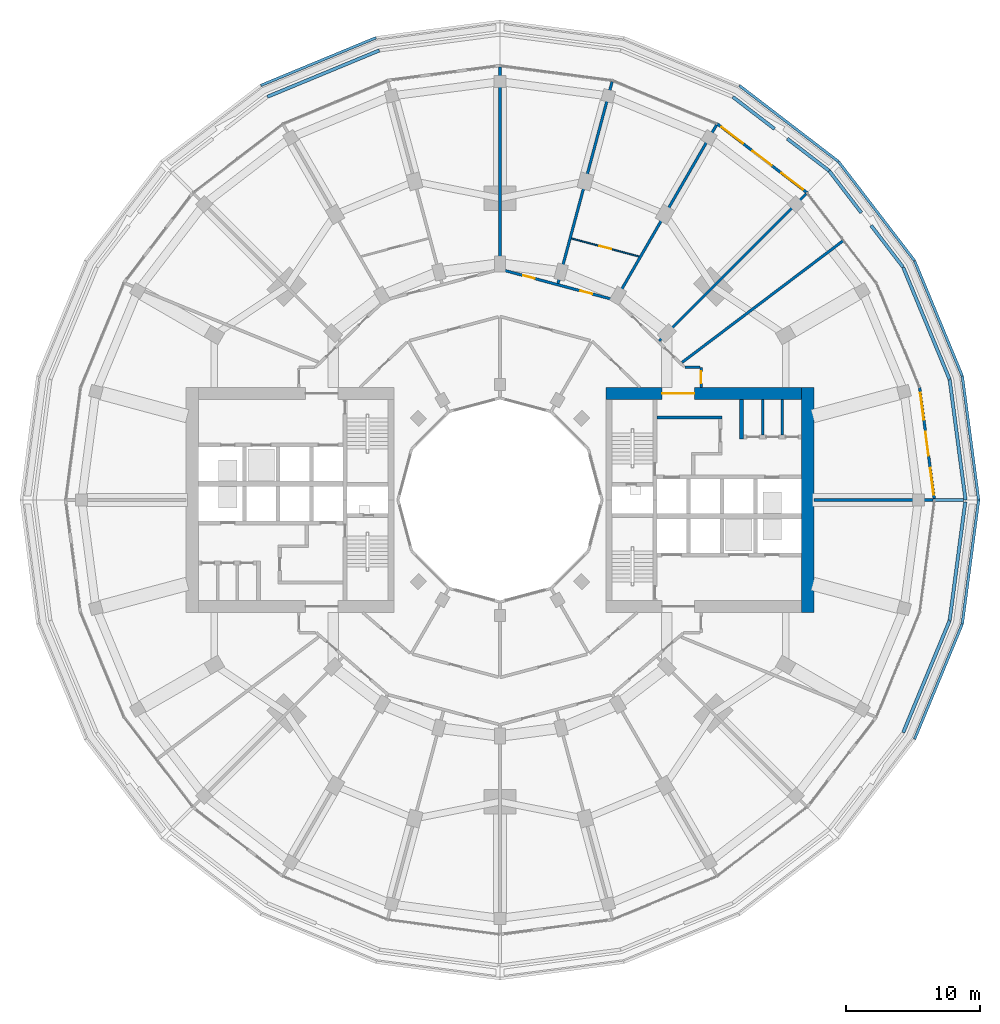
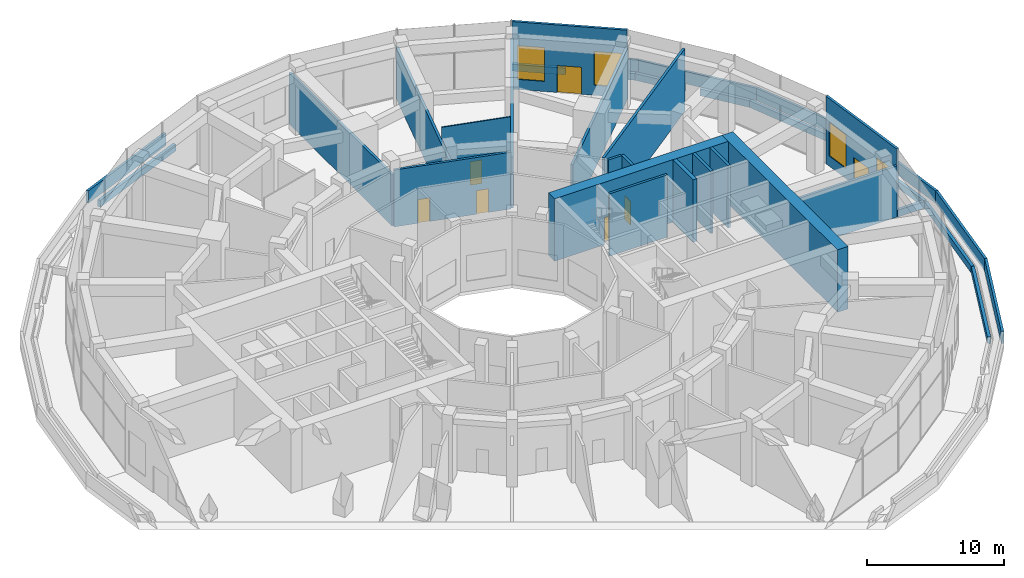
# One storey, part 20 of 23: 35 walls, 7 doors, 4 windows, 11 openings.
"""IFC4 building model written with IfcOpenShell, lengths in metres."""

from ifc_helpers import new_model, si_unit, direction, frame, frame_2d, origin, place, context, subcontext, project, spatial, rectangle, extrude, material, layer, layer_set, type_object, element, fill, save


model = new_model("IFC4")

# Units and contexts
model_context = context("Model", 3, precision=1e-05, world=origin(), true_north=direction((0.0, 1.0)))
body_context = subcontext(model_context, "Body", "Model", "MODEL_VIEW")
ifc_project = project(units=[si_unit("LENGTHUNIT", "METRE"), si_unit("AREAUNIT", "SQUARE_METRE"), si_unit("VOLUMEUNIT", "CUBIC_METRE"), si_unit("PLANEANGLEUNIT", "RADIAN"), si_unit("MASSUNIT", "GRAM", prefix="KILO")], contexts=[model_context])

# Site, building, storey
site_placement = place(None, origin())
site = spatial("IfcSite", under=ifc_project, at=site_placement, CompositionType="ELEMENT")
building_placement = place(site_placement, origin())
building = spatial("IfcBuilding", under=site, at=building_placement, Name="Torre Brocal", CompositionType="ELEMENT")
storey_placement = place(building_placement, frame((0.0, 0.0, 17.800048828125)))
storey = spatial("IfcBuildingStorey", under=building, at=storey_placement, Name="L03", CompositionType="ELEMENT", Elevation=17.800048828125)

# Walls
ifc_material_1 = material(Name="Masonry block", Category="masonry")
ifc_layer_1 = layer(ifc_material_1, 0.199951171875)
ifc_layer_set_1 = layer_set([ifc_layer_1], Name="Masonry block")
wall_type_1 = type_object("IfcWallType", Name="CORE PARTITION 200 UNDER 450 SLAB", PredefinedType="PARTITIONING", material=ifc_layer_set_1)
for number, where, z_axis, x_axis, name in (
    (1, (99.60009765625, 79.85009765625, 0.0), (0.0, 0.0, 1.0), (0.0, 1.0, 0.0), "Wall CP200-S450"),
    (2, (101.050048828125, 79.85009765625, 0.0), (0.0, 0.0, 1.0), (0.0, 1.0, 0.0), "Wall CP200-S450"),
):
    element("IfcWall", number, at=place(storey_placement, frame(where, z_axis=z_axis, x_axis=x_axis)), inside=storey, type_object=wall_type_1, Name=name, PredefinedType="PARTITIONING", context=body_context, shape_type="SweptSolid", body=[
        extrude(rectangle(XDim=2.64990234375, YDim=0.199951171875, at=frame_2d((1.324951171875, 0.0))), origin(), (0.0, 0.0, 1.0), 5.550048828125),
    ])
ifc_material_2 = material(Name="Concrete C80", Category="concrete")
ifc_layer_2 = layer(ifc_material_2, 0.199951171875)
ifc_layer_set_2 = layer_set([ifc_layer_2], Name="Concrete C80")
wall_type_2 = type_object("IfcWallType", Name="CORE WALL 200 C80 UNDER 450 SLAB", PredefinedType="SHEAR", material=ifc_layer_set_2)
wall_1_placement = place(storey_placement, frame((91.699951171875, 81.14990234375, 0.0), z_axis=(0.0, 0.0, 1.0), x_axis=(1.0, 0.0, 0.0)))
element("IfcWall", 3, at=wall_1_placement, inside=storey, type_object=wall_type_2, Name="Wall CW200-80-S450", PredefinedType="SHEAR", context=body_context, shape_type="SweptSolid", body=[
    extrude(rectangle(XDim=4.85009765625, YDim=0.199951171875, at=frame_2d((2.425048828125, 0.0))), origin(), (0.0, 0.0, 1.0), 5.550048828125),
])
ifc_material_3 = material(Name="Concrete C80", Category="concrete")
ifc_layer_3 = layer(ifc_material_3, 0.300048828125)
ifc_layer_set_3 = layer_set([ifc_layer_3], Name="Concrete C80")
wall_type_3 = type_object("IfcWallType", Name="CORE WALL 300 C80 UNDER 450 SLAB", PredefinedType="SHEAR", material=ifc_layer_set_3)
wall_2_placement = place(storey_placement, frame((98.0, 79.550048828125, 0.0), z_axis=(0.0, 0.0, 1.0), x_axis=(0.0, 1.0, 0.0)))
element("IfcWall", 4, at=wall_2_placement, inside=storey, type_object=wall_type_3, Name="Wall CW300-80-S450", PredefinedType="SHEAR", context=body_context, shape_type="SweptSolid", body=[
    extrude(rectangle(XDim=2.949951171875, YDim=0.300048828125, at=frame_2d((1.47509765625, 0.0))), origin(), (0.0, 0.0, 1.0), 5.550048828125),
])

# Wall, opening, door
ifc_material_4 = material(Name="Concrete C80", Category="concrete")
ifc_layer_4 = layer(ifc_material_4, 0.89990234375)
ifc_layer_set_4 = layer_set([ifc_layer_4], Name="Concrete C80")
wall_type_4 = type_object("IfcWallType", Name="CORE WALL 900 C80 UNDER 450 SLAB", PredefinedType="SHEAR", material=ifc_layer_set_4)
wall_3_placement = place(storey_placement, frame((87.89990234375, 82.949951171875, 0.0), z_axis=(0.0, 0.0, 1.0), x_axis=(1.0, 0.0, 0.0)))
wall_3 = element("IfcWall", 5, at=wall_3_placement, inside=storey, type_object=wall_type_4, Name="Wall CW900-80-S450", PredefinedType="SHEAR", context=body_context, shape_type="SweptSolid", body=[
    extrude(rectangle(XDim=14.60009765625, YDim=0.89990234375, at=frame_2d((7.300048828125, 0.0))), origin(), (0.0, 0.0, 1.0), 5.550048828125),
])
opening_1_placement = place(wall_3_placement, frame((4.199951171875, 0.0, 0.0)))
opening_1 = element("IfcOpeningElement", 6, at=opening_1_placement, cuts=wall_3, Name="Opening E-D27", PredefinedType="OPENING", context=body_context, shape_type="SweptSolid", body=[
    extrude(rectangle(XDim=2.39990234375, YDim=2.39990234375, at=frame_2d((1.199951171875, 1.199951171875))), frame((0.0, 0.4599609375, 0.0), z_axis=(0.0, -1.0, 0.0), x_axis=(1.0, 0.0, 0.0)), (0.0, 0.0, 1.0), 0.919921875),
])
ifc_material_5 = material(Name="Steel A653", Category="steel")
door_type_1 = type_object("IfcDoorType", Name="DOUBLE FIRE DOOR FD90 2400X2400", OperationType="DOUBLE_DOOR_SINGLE_SWING", PredefinedType="DOOR", material=ifc_material_5)
door_1_placement = place(opening_1_placement, frame((2.39990234375, 0.0, 0.0), z_axis=(0.0, 0.0, 1.0), x_axis=(-1.0, 0.0, 0.0)))
door_1 = element("IfcDoor", 7, at=door_1_placement, inside=storey, type_object=door_type_1, Name="Door E-D27", OperationType="DOUBLE_DOOR_SINGLE_SWING", OverallHeight=2.39990234375, OverallWidth=2.39990234375, PredefinedType="DOOR", context=body_context, shape_type="SweptSolid", body=[
    extrude(rectangle(XDim=2.39990234375, YDim=2.39990234375, at=frame_2d((1.199951171875, 1.199951171875))), frame((0.0, 0.02490234375, 0.0), z_axis=(0.0, -1.0, 0.0), x_axis=(1.0, 0.0, 0.0)), (0.0, 0.0, 1.0), 0.050048828125),
])
fill(opening_1, door_1)

# Wall
wall_4_placement = place(storey_placement, frame((102.949951171875, 66.60009765625, 0.0), z_axis=(0.0, 0.0, 1.0), x_axis=(0.0, 1.0, 0.0)))
element("IfcWall", 8, at=wall_4_placement, inside=storey, type_object=wall_type_4, Name="Wall CW900-80-S450", PredefinedType="SHEAR", context=body_context, shape_type="SweptSolid", body=[
    extrude(rectangle(XDim=16.7998046875, YDim=0.89990234375, at=frame_2d((8.39990234375, 0.0))), origin(), (0.0, 0.0, 1.0), 5.550048828125),
])

# Wall, openings, windows, door
ifc_material_6 = material(Name="Concrete C40", Category="concrete")
ifc_layer_5 = layer(ifc_material_6, 0.199951171875)
ifc_layer_set_5 = layer_set([ifc_layer_5], Name="Concrete C40")
wall_type_5 = type_object("IfcWallType", Name="EXTERNAL WALL 200", PredefinedType="NOTDEFINED", material=ifc_layer_set_5)
wall_5_placement = place(storey_placement, frame((112.399169921875, 75.0, 0.0), z_axis=(0.0, 0.0, 1.0), x_axis=(-0.130529928059, 0.991444369534, 0.0)))
wall_5 = element("IfcWall", 9, at=wall_5_placement, inside=storey, type_object=wall_type_5, Name="EXTERNAL WALL", PredefinedType="NOTDEFINED", context=body_context, shape_type="SweptSolid", body=[
    extrude(rectangle(XDim=8.457763671875, YDim=0.199951171875, at=frame_2d((4.22900390625, 0.0))), origin(), (0.0, 0.0, 1.0), 6.0),
])
opening_2_placement = place(wall_5_placement, frame((0.40966796875, 0.0, 0.89990234375)))
opening_2 = element("IfcOpeningElement", 10, at=opening_2_placement, cuts=wall_5, Name="Opening W7", PredefinedType="OPENING", context=body_context, shape_type="SweptSolid", body=[
    extrude(rectangle(XDim=2.0, YDim=3.0, at=frame_2d((1.0, 1.5))), frame((0.0, 0.10986328125, 0.0), z_axis=(0.0, -1.0, 0.0), x_axis=(1.0, 0.0, 0.0)), (0.0, 0.0, 1.0), 0.219970703125),
])
opening_3_placement = place(wall_5_placement, frame((3.328857421875, 0.0, 0.0)))
opening_3 = element("IfcOpeningElement", 11, at=opening_3_placement, cuts=wall_5, Name="Opening L03-E01", PredefinedType="OPENING", context=body_context, shape_type="SweptSolid", body=[
    extrude(rectangle(XDim=1.800048828125, YDim=2.39990234375, at=frame_2d((0.89990234375, 1.199951171875))), frame((0.0, 0.10986328125, 0.0), z_axis=(0.0, -1.0, 0.0), x_axis=(1.0, 0.0, 0.0)), (0.0, 0.0, 1.0), 0.219970703125),
])
opening_4_placement = place(wall_5_placement, frame((6.04833984375, 0.0, 0.89990234375)))
opening_4 = element("IfcOpeningElement", 12, at=opening_4_placement, cuts=wall_5, Name="Opening W7", PredefinedType="OPENING", context=body_context, shape_type="SweptSolid", body=[
    extrude(rectangle(XDim=2.0, YDim=3.0, at=frame_2d((1.0, 1.5))), frame((0.0, 0.10986328125, 0.0), z_axis=(0.0, -1.0, 0.0), x_axis=(1.0, 0.0, 0.0)), (0.0, 0.0, 1.0), 0.219970703125),
])
ifc_material_7 = material(Name="Aluminium and glass", Category="aluminium")
window_type = type_object("IfcWindowType", Name="PODIUM WINDOW 2000X3000", PartitioningType="SINGLE_PANEL", PredefinedType="WINDOW", material=ifc_material_7)
window_1_placement = place(opening_2_placement, origin())
window_1 = element("IfcWindow", 13, at=window_1_placement, inside=storey, type_object=window_type, Name="PODIUM WINDOW 2000X3000", OverallHeight=3.0, OverallWidth=2.0, PartitioningType="SINGLE_PANEL", PredefinedType="WINDOW", context=body_context, shape_type="SweptSolid", body=[
    extrude(rectangle(XDim=2.0, YDim=3.0, at=frame_2d((1.0, 1.5))), frame((0.0, 0.030029296875, 0.0), z_axis=(0.0, -1.0, 0.0), x_axis=(1.0, 0.0, 0.0)), (0.0, 0.0, 1.0), 0.06005859375),
])
fill(opening_2, window_1)
window_2_placement = place(opening_4_placement, origin())
window_2 = element("IfcWindow", 14, at=window_2_placement, inside=storey, type_object=window_type, Name="PODIUM WINDOW 2000X3000", OverallHeight=3.0, OverallWidth=2.0, PartitioningType="SINGLE_PANEL", PredefinedType="WINDOW", context=body_context, shape_type="SweptSolid", body=[
    extrude(rectangle(XDim=2.0, YDim=3.0, at=frame_2d((1.0, 1.5))), frame((0.0, 0.030029296875, 0.0), z_axis=(0.0, -1.0, 0.0), x_axis=(1.0, 0.0, 0.0)), (0.0, 0.0, 1.0), 0.06005859375),
])
fill(opening_4, window_2)
ifc_material_8 = material(Name="Aluminium and glass", Category="aluminium")
door_type_2 = type_object("IfcDoorType", Name="TERRACE DOUBLE DOOR 1800X2400", OperationType="DOUBLE_DOOR_SINGLE_SWING", PredefinedType="DOOR", material=ifc_material_8)
door_2_placement = place(opening_3_placement, frame((1.800048828125, 0.0, 0.0), z_axis=(0.0, 0.0, 1.0), x_axis=(-1.0, 0.0, 0.0)))
door_2 = element("IfcDoor", 15, at=door_2_placement, inside=storey, type_object=door_type_2, Name="DOOR L03-E01", OperationType="DOUBLE_DOOR_SINGLE_SWING", OverallHeight=2.39990234375, OverallWidth=1.800048828125, PredefinedType="DOOR", context=body_context, shape_type="SweptSolid", body=[
    extrude(rectangle(XDim=1.800048828125, YDim=2.39990234375, at=frame_2d((0.89990234375, 1.199951171875))), frame((0.0, 0.02490234375, 0.0), z_axis=(0.0, -1.0, 0.0), x_axis=(1.0, 0.0, 0.0)), (0.0, 0.0, 1.0), 0.050048828125),
])
fill(opening_3, door_2)

wall_6_placement = place(storey_placement, frame((102.90966796875, 97.90966796875, 0.0), z_axis=(0.0, 0.0, 1.0), x_axis=(-0.793353093047, 0.608761751223, 0.0)))
wall_6 = element("IfcWall", 16, at=wall_6_placement, inside=storey, type_object=wall_type_5, Name="EXTERNAL WALL", PredefinedType="NOTDEFINED", context=body_context, shape_type="SweptSolid", body=[
    extrude(rectangle(XDim=8.4580078125, YDim=0.199951171875, at=frame_2d((4.22900390625, 0.0))), origin(), (0.0, 0.0, 1.0), 6.0),
])
opening_5_placement = place(wall_6_placement, frame((0.40966796875, 0.0, 0.89990234375)))
opening_5 = element("IfcOpeningElement", 17, at=opening_5_placement, cuts=wall_6, Name="Opening W7", PredefinedType="OPENING", context=body_context, shape_type="SweptSolid", body=[
    extrude(rectangle(XDim=2.0, YDim=3.0, at=frame_2d((1.0, 1.5))), frame((0.0, 0.10986328125, 0.0), z_axis=(0.0, -1.0, 0.0), x_axis=(1.0, 0.0, 0.0)), (0.0, 0.0, 1.0), 0.219970703125),
])
opening_6_placement = place(wall_6_placement, frame((3.328857421875, 0.0, 0.0)))
opening_6 = element("IfcOpeningElement", 18, at=opening_6_placement, cuts=wall_6, Name="Opening L03-E02", PredefinedType="OPENING", context=body_context, shape_type="SweptSolid", body=[
    extrude(rectangle(XDim=1.800048828125, YDim=2.39990234375, at=frame_2d((0.89990234375, 1.199951171875))), frame((0.0, 0.10986328125, 0.0), z_axis=(0.0, -1.0, 0.0), x_axis=(1.0, 0.0, 0.0)), (0.0, 0.0, 1.0), 0.219970703125),
])
opening_7_placement = place(wall_6_placement, frame((6.04833984375, 0.0, 0.89990234375)))
opening_7 = element("IfcOpeningElement", 19, at=opening_7_placement, cuts=wall_6, Name="Opening W7", PredefinedType="OPENING", context=body_context, shape_type="SweptSolid", body=[
    extrude(rectangle(XDim=2.0, YDim=3.0, at=frame_2d((1.0, 1.5))), frame((0.0, 0.10986328125, 0.0), z_axis=(0.0, -1.0, 0.0), x_axis=(1.0, 0.0, 0.0)), (0.0, 0.0, 1.0), 0.219970703125),
])
window_3_placement = place(opening_5_placement, origin())
window_3 = element("IfcWindow", 20, at=window_3_placement, inside=storey, type_object=window_type, Name="PODIUM WINDOW 2000X3000", OverallHeight=3.0, OverallWidth=2.0, PartitioningType="SINGLE_PANEL", PredefinedType="WINDOW", context=body_context, shape_type="SweptSolid", body=[
    extrude(rectangle(XDim=2.0, YDim=3.0, at=frame_2d((1.0, 1.5))), frame((0.0, 0.030029296875, 0.0), z_axis=(0.0, -1.0, 0.0), x_axis=(1.0, 0.0, 0.0)), (0.0, 0.0, 1.0), 0.06005859375),
])
fill(opening_5, window_3)
window_4_placement = place(opening_7_placement, origin())
window_4 = element("IfcWindow", 21, at=window_4_placement, inside=storey, type_object=window_type, Name="PODIUM WINDOW 2000X3000", OverallHeight=3.0, OverallWidth=2.0, PartitioningType="SINGLE_PANEL", PredefinedType="WINDOW", context=body_context, shape_type="SweptSolid", body=[
    extrude(rectangle(XDim=2.0, YDim=3.0, at=frame_2d((1.0, 1.5))), frame((0.0, 0.030029296875, 0.0), z_axis=(0.0, -1.0, 0.0), x_axis=(1.0, 0.0, 0.0)), (0.0, 0.0, 1.0), 0.06005859375),
])
fill(opening_7, window_4)
door_3_placement = place(opening_6_placement, frame((1.800048828125, 0.0, 0.0), z_axis=(0.0, 0.0, 1.0), x_axis=(-1.0, 0.0, 0.0)))
door_3 = element("IfcDoor", 22, at=door_3_placement, inside=storey, type_object=door_type_2, Name="DOOR L03-E02", OperationType="DOUBLE_DOOR_SINGLE_SWING", OverallHeight=2.39990234375, OverallWidth=1.800048828125, PredefinedType="DOOR", context=body_context, shape_type="SweptSolid", body=[
    extrude(rectangle(XDim=1.800048828125, YDim=2.39990234375, at=frame_2d((0.89990234375, 1.199951171875))), frame((0.0, 0.02490234375, 0.0), z_axis=(0.0, -1.0, 0.0), x_axis=(1.0, 0.0, 0.0)), (0.0, 0.0, 1.0), 0.050048828125),
])
fill(opening_6, door_3)

# Walls
ifc_material_9 = material(Name="Concrete C40", Category="concrete")
ifc_layer_6 = layer(ifc_material_9, 0.199951171875)
ifc_layer_set_6 = layer_set([ifc_layer_6], Name="Concrete C40")
wall_type_6 = type_object("IfcWallType", Name="PARAPET WALL 200 THICK 1100 HIGH 2", PredefinedType="PARAPET", material=ifc_layer_set_6)
wall_7_placement = place(storey_placement, frame((115.697509765625, 75.0, 0.0), z_axis=(0.0, 0.0, 1.0), x_axis=(-0.13054816706, -0.991441968084, 0.0)))
element("IfcWall", 23, at=wall_7_placement, inside=storey, type_object=wall_type_6, Name="PARAPET WALL 1", PredefinedType="PARAPET", context=body_context, shape_type="SweptSolid", body=[
    extrude(rectangle(XDim=9.3056640625, YDim=0.199951171875, at=frame_2d((4.65283203125, 0.0))), origin(), (0.0, 0.0, 1.0), 1.099853515625),
])
for number, where, z_axis, x_axis, name in (
    (24, (114.47607421875, 65.748779296875, 0.0), (0.0, 0.0, 1.0), (-0.382687470657, -0.923877859786, 0.0), "PARAPET WALL 2"),
    (25, (62.16357421875, 105.919921875, 0.0), (0.0, 0.0, 1.0), (0.923877859786, 0.382687470657, 0.0), "PARAPET WALL 17"),
    (26, (97.859130859375, 105.90673828125, 0.0), (0.0, 0.0, 1.0), (0.793365687122, -0.608745337968, 0.0), "PARAPET WALL 21"),
    (27, (105.25, 100.2314453125, 0.0), (0.0, 0.0, 1.0), (0.608745337968, -0.793365687122, 0.0), "PARAPET WALL 22"),
    (28, (110.919921875, 92.83642578125, 0.0), (0.0, 0.0, 1.0), (0.382687470657, -0.923877859786, 0.0), "PARAPET WALL 23"),
):
    element("IfcWall", number, at=place(storey_placement, frame(where, z_axis=z_axis, x_axis=x_axis)), inside=storey, type_object=wall_type_6, Name=name, PredefinedType="PARAPET", context=body_context, shape_type="SweptSolid", body=[
        extrude(rectangle(XDim=9.29248046875, YDim=0.199951171875, at=frame_2d((4.646240234375, 0.0))), origin(), (0.0, 0.0, 1.0), 1.099853515625),
    ])
wall_8_placement = place(storey_placement, frame((114.482666015625, 84.22607421875, 0.0), z_axis=(0.0, 0.0, 1.0), x_axis=(0.13054816706, -0.991441968084, 0.0)))
element("IfcWall", 29, at=wall_8_placement, inside=storey, type_object=wall_type_6, Name="PARAPET WALL 24", PredefinedType="PARAPET", context=body_context, shape_type="SweptSolid", body=[
    extrude(rectangle(XDim=9.3056640625, YDim=0.199951171875, at=frame_2d((4.65283203125, 0.0))), origin(), (0.0, 0.0, 1.0), 1.099853515625),
])

# Wall, opening, door
ifc_material_10 = material(Name="Gypsum board", Category="Gypsum")
ifc_layer_7 = layer(ifc_material_10, 0.10009765625)
ifc_layer_set_7 = layer_set([ifc_layer_7], Name="Gypsum board")
wall_type_7 = type_object("IfcWallType", Name="PARTITION 100", PredefinedType="PARTITIONING", material=ifc_layer_set_7)
wall_9_placement = place(storey_placement, frame((85.340087890625, 94.505615234375, 0.0), z_axis=(0.0, 0.0, 1.0), x_axis=(0.965895847634, -0.258930901058, 0.0)))
wall_9 = element("IfcWall", 30, at=wall_9_placement, inside=storey, type_object=wall_type_7, Name="ROOM PARTITION", PredefinedType="PARTITIONING", context=body_context, shape_type="SweptSolid", body=[
    extrude(rectangle(XDim=5.198974609375, YDim=0.10009765625, at=frame_2d((2.599609375, 0.0))), origin(), (0.0, 0.0, 1.0), 5.550048828125),
])
opening_8_placement = place(wall_9_placement, frame((2.1494140625, 0.0, 0.0)))
opening_8 = element("IfcOpeningElement", 31, at=opening_8_placement, cuts=wall_9, Name="Opening PD3-D05", PredefinedType="OPENING", context=body_context, shape_type="SweptSolid", body=[
    extrude(rectangle(XDim=0.89990234375, YDim=2.10009765625, at=frame_2d((0.449951171875, 1.050048828125))), frame((0.0, 0.06005859375, 0.0), z_axis=(0.0, -1.0, 0.0), x_axis=(1.0, 0.0, 0.0)), (0.0, 0.0, 1.0), 0.1201171875),
])
ifc_material_11 = material(Name="Timber", Category="wood")
door_type_3 = type_object("IfcDoorType", Name="ROOM DOOR 900X2100", OperationType="SINGLE_SWING_LEFT", PredefinedType="DOOR", material=ifc_material_11)
door_4_placement = place(opening_8_placement, origin())
door_4 = element("IfcDoor", 32, at=door_4_placement, inside=storey, type_object=door_type_3, Name="PD3-D05", OperationType="SINGLE_SWING_LEFT", OverallHeight=2.10009765625, OverallWidth=0.89990234375, PredefinedType="DOOR", context=body_context, shape_type="SweptSolid", body=[
    extrude(rectangle(XDim=0.89990234375, YDim=2.10009765625, at=frame_2d((0.449951171875, 1.050048828125))), frame((0.0, 0.02490234375, 0.0), z_axis=(0.0, -1.0, 0.0), x_axis=(1.0, 0.0, 0.0)), (0.0, 0.0, 1.0), 0.050048828125),
])
fill(opening_8, door_4)

# Walls
ifc_material_12 = material(Name="Gypsum board", Category="Gypsum")
ifc_layer_8 = layer(ifc_material_12, 0.199951171875)
ifc_layer_set_8 = layer_set([ifc_layer_8], Name="Gypsum board")
wall_type_8 = type_object("IfcWallType", Name="PARTITION 200 EI60", PredefinedType="PARTITIONING", material=ifc_layer_set_8)
wall_10_placement = place(storey_placement, frame((93.577880859375, 85.259033203125, 0.0), z_axis=(0.0, 0.0, 1.0), x_axis=(0.797859702554, 0.602843176159, 0.0)))
element("IfcWall", 33, at=wall_10_placement, inside=storey, type_object=wall_type_8, Name="PARTY PARTITION", PredefinedType="PARTITIONING", context=body_context, shape_type="SweptSolid", body=[
    extrude(rectangle(XDim=15.0654296875, YDim=0.199951171875, at=frame_2d((7.53271484375, 0.0))), origin(), (0.0, 0.0, 1.0), 5.550048828125),
])
wall_11_placement = place(storey_placement, frame((93.780029296875, 84.89990234375, 0.0), z_axis=(0.0, 0.0, 1.0), x_axis=(1.0, 0.0, 0.0)))
element("IfcWall", 34, at=wall_11_placement, inside=storey, type_object=wall_type_8, Name="CORRIDOR WALL", PredefinedType="PARTITIONING", context=body_context, shape_type="SweptSolid", body=[
    extrude(rectangle(XDim=1.119873046875, YDim=0.199951171875, at=frame_2d((0.56005859375, 0.0))), origin(), (0.0, 0.0, 1.0), 5.550048828125),
])

# Wall, opening, door
wall_12_placement = place(storey_placement, frame((95.0, 83.40087890625, 0.0), z_axis=(0.0, 0.0, 1.0), x_axis=(0.0, 1.0, 0.0)))
wall_12 = element("IfcWall", 35, at=wall_12_placement, inside=storey, type_object=wall_type_8, Name="CORRIDOR WALL", PredefinedType="PARTITIONING", context=body_context, shape_type="SweptSolid", body=[
    extrude(rectangle(XDim=1.4990234375, YDim=0.199951171875, at=frame_2d((0.74951171875, 0.0))), origin(), (0.0, 0.0, 1.0), 5.550048828125),
])
opening_9_placement = place(wall_12_placement, frame((0.299072265625, 0.0, 0.0)))
opening_9 = element("IfcOpeningElement", 36, at=opening_9_placement, cuts=wall_12, Name="Opening PD3-D01", PredefinedType="OPENING", context=body_context, shape_type="SweptSolid", body=[
    extrude(rectangle(XDim=0.89990234375, YDim=2.10009765625, at=frame_2d((0.449951171875, 1.050048828125))), frame((0.0, 0.10986328125, 0.0), z_axis=(0.0, -1.0, 0.0), x_axis=(1.0, 0.0, 0.0)), (0.0, 0.0, 1.0), 0.219970703125),
])
door_5_placement = place(opening_9_placement, frame((0.89990234375, 0.0, 0.0), z_axis=(0.0, 0.0, 1.0), x_axis=(-1.0, 0.0, 0.0)))
door_5 = element("IfcDoor", 37, at=door_5_placement, inside=storey, type_object=door_type_3, Name="PD3-D01", OperationType="SINGLE_SWING_RIGHT", OverallHeight=2.10009765625, OverallWidth=0.89990234375, PredefinedType="DOOR", context=body_context, shape_type="SweptSolid", body=[
    extrude(rectangle(XDim=0.89990234375, YDim=2.10009765625, at=frame_2d((0.449951171875, 1.050048828125))), frame((0.0, 0.02490234375, 0.0), z_axis=(0.0, -1.0, 0.0), x_axis=(1.0, 0.0, 0.0)), (0.0, 0.0, 1.0), 0.050048828125),
])
fill(opening_9, door_5)

# Walls
ifc_material_13 = material(Name="Gypsum board", Category="Gypsum")
ifc_layer_9 = layer(ifc_material_13, 0.199951171875)
ifc_layer_set_9 = layer_set([ifc_layer_9], Name="Gypsum board")
wall_type_9 = type_object("IfcWallType", Name="PARTITION 200 EI60 UNDER BEAM 1450", PredefinedType="PARTITIONING", material=ifc_layer_set_9)
wall_13_placement = place(storey_placement, frame((80.0, 92.300048828125, 0.0), z_axis=(0.0, 0.0, 1.0), x_axis=(0.0, 1.0, 0.0)))
element("IfcWall", 38, at=wall_13_placement, inside=storey, type_object=wall_type_9, Name="PARTY PARTITION", PredefinedType="PARTITIONING", context=body_context, shape_type="SweptSolid", body=[
    extrude(rectangle(XDim=14.998046875, YDim=0.199951171875, at=frame_2d((7.4990234375, 0.0))), origin(), (0.0, 0.0, 1.0), 4.550048828125),
])
wall_14_placement = place(storey_placement, frame((84.3291015625, 91.1533203125, 0.0), z_axis=(0.0, 0.0, 1.0), x_axis=(0.258918127652, 0.965899271753, 0.0)))
element("IfcWall", 39, at=wall_14_placement, inside=storey, type_object=wall_type_9, Name="PARTY PARTITION", PredefinedType="PARTITIONING", context=body_context, shape_type="SweptSolid", body=[
    extrude(rectangle(XDim=15.57421875, YDim=0.199951171875, at=frame_2d((7.787109375, 0.0))), origin(), (0.0, 0.0, 1.0), 4.550048828125),
])
wall_15_placement = place(storey_placement, frame((88.601318359375, 89.896728515625, 0.0), z_axis=(0.0, 0.0, 1.0), x_axis=(0.500043970552, 0.866000015886, 0.0)))
element("IfcWall", 40, at=wall_15_placement, inside=storey, type_object=wall_type_9, Name="PARTY PARTITION", PredefinedType="PARTITIONING", context=body_context, shape_type="SweptSolid", body=[
    extrude(rectangle(XDim=15.095947265625, YDim=0.199951171875, at=frame_2d((7.5478515625, 0.0))), origin(), (0.0, 0.0, 1.0), 4.550048828125),
])
wall_16_placement = place(storey_placement, frame((91.875732421875, 86.875732421875, 0.0), z_axis=(0.0, 0.0, 1.0), x_axis=(0.707106781187, 0.707106781187, 0.0)))
element("IfcWall", 41, at=wall_16_placement, inside=storey, type_object=wall_type_9, Name="PARTY PARTITION", PredefinedType="PARTITIONING", context=body_context, shape_type="SweptSolid", body=[
    extrude(rectangle(XDim=15.50341796875, YDim=0.199951171875, at=frame_2d((7.751708984375, 0.0))), origin(), (0.0, 0.0, 1.0), 4.550048828125),
])
wall_17_placement = place(storey_placement, frame((103.40087890625, 75.0, 0.0), z_axis=(0.0, 0.0, 1.0), x_axis=(1.0, 0.0, 0.0)))
element("IfcWall", 42, at=wall_17_placement, inside=storey, type_object=wall_type_9, Name="PLANT ROOM WALL", PredefinedType="PARTITIONING", context=body_context, shape_type="SweptSolid", body=[
    extrude(rectangle(XDim=8.896240234375, YDim=0.199951171875, at=frame_2d((4.4482421875, 0.0))), origin(), (0.0, 0.0, 1.0), 4.550048828125),
])

# Wall, openings, doors
ifc_material_14 = material(Name="Gypsum board", Category="Gypsum")
ifc_layer_10 = layer(ifc_material_14, 0.199951171875)
ifc_layer_set_10 = layer_set([ifc_layer_10], Name="Gypsum board")
wall_type_10 = type_object("IfcWallType", Name="PARTITION 200 EI60 UNDER BEAM 950", PredefinedType="PARTITIONING", material=ifc_layer_set_10)
wall_18_placement = place(storey_placement, frame((80.0, 92.2099609375, 0.0), z_axis=(0.0, 0.0, 1.0), x_axis=(0.965910452724, -0.258876413213, 0.0)))
wall_18 = element("IfcWall", 43, at=wall_18_placement, inside=storey, type_object=wall_type_10, Name="CORRIDOR WALL", PredefinedType="PARTITIONING", context=body_context, shape_type="SweptSolid", body=[
    extrude(rectangle(XDim=8.81201171875, YDim=0.199951171875, at=frame_2d((4.406005859375, 0.0))), origin(), (0.0, 0.0, 1.0), 5.050048828125),
])
opening_10_placement = place(wall_18_placement, frame((6.213134765625, 0.0, 0.0)))
opening_10 = element("IfcOpeningElement", 44, at=opening_10_placement, cuts=wall_18, Name="Opening PD3-D04", PredefinedType="OPENING", context=body_context, shape_type="SweptSolid", body=[
    extrude(rectangle(XDim=0.89990234375, YDim=2.10009765625, at=frame_2d((0.449951171875, 1.050048828125))), frame((0.0, 0.10986328125, 0.0), z_axis=(0.0, -1.0, 0.0), x_axis=(1.0, 0.0, 0.0)), (0.0, 0.0, 1.0), 0.219970703125),
])
opening_11_placement = place(wall_18_placement, frame((1.78662109375, 0.0, 0.0)))
opening_11 = element("IfcOpeningElement", 45, at=opening_11_placement, cuts=wall_18, Name="Opening PD3-D06", PredefinedType="OPENING", context=body_context, shape_type="SweptSolid", body=[
    extrude(rectangle(XDim=0.89990234375, YDim=2.10009765625, at=frame_2d((0.449951171875, 1.050048828125))), frame((0.0, 0.10986328125, 0.0), z_axis=(0.0, -1.0, 0.0), x_axis=(1.0, 0.0, 0.0)), (0.0, 0.0, 1.0), 0.219970703125),
])
door_6_placement = place(opening_10_placement, origin())
door_6 = element("IfcDoor", 46, at=door_6_placement, inside=storey, type_object=door_type_3, Name="PD3-D04", OperationType="SINGLE_SWING_LEFT", OverallHeight=2.10009765625, OverallWidth=0.89990234375, PredefinedType="DOOR", context=body_context, shape_type="SweptSolid", body=[
    extrude(rectangle(XDim=0.89990234375, YDim=2.10009765625, at=frame_2d((0.449951171875, 1.050048828125))), frame((0.0, 0.02490234375, 0.0), z_axis=(0.0, -1.0, 0.0), x_axis=(1.0, 0.0, 0.0)), (0.0, 0.0, 1.0), 0.050048828125),
])
fill(opening_10, door_6)
door_7_placement = place(opening_11_placement, origin())
door_7 = element("IfcDoor", 47, at=door_7_placement, inside=storey, type_object=door_type_3, Name="PD3-D06", OperationType="SINGLE_SWING_RIGHT", OverallHeight=2.10009765625, OverallWidth=0.89990234375, PredefinedType="DOOR", context=body_context, shape_type="SweptSolid", body=[
    extrude(rectangle(XDim=0.89990234375, YDim=2.10009765625, at=frame_2d((0.449951171875, 1.050048828125))), frame((0.0, 0.02490234375, 0.0), z_axis=(0.0, -1.0, 0.0), x_axis=(1.0, 0.0, 0.0)), (0.0, 0.0, 1.0), 0.050048828125),
])
fill(opening_11, door_7)

# Walls
ifc_material_15 = material(Name="Concrete C35", Category="concrete")
ifc_layer_11 = layer(ifc_material_15, 0.25)
ifc_layer_set_11 = layer_set([ifc_layer_11], Name="Concrete C35")
wall_type_11 = type_object("IfcWallType", Name="PLANTER WALL 250 THICK 600 HIGH 2", PredefinedType="USERDEFINED", material=ifc_layer_set_11)
wall_19_placement = place(storey_placement, frame((104.550048828125, 99.550048828125, 0.0), z_axis=(0.0, 0.0, 1.0), x_axis=(0.608756077719, -0.793357446452, 0.0)))
element("IfcWall", 48, at=wall_19_placement, inside=storey, type_object=wall_type_11, Name="PLANTER", ObjectType="PLANTER", PredefinedType="USERDEFINED", context=body_context, shape_type="SweptSolid", body=[
    extrude(rectangle(XDim=3.931884765625, YDim=0.25, at=frame_2d((1.9658203125, 0.0))), origin(), (0.0, 0.0, 1.0), 0.599853515625),
])
wall_20_placement = place(storey_placement, frame((107.674072265625, 95.478759765625, 0.0), z_axis=(0.0, 0.0, 1.0), x_axis=(0.608773153249, -0.793344343828, 0.0)))
element("IfcWall", 49, at=wall_20_placement, inside=storey, type_object=wall_type_11, Name="PLANTER", ObjectType="PLANTER", PredefinedType="USERDEFINED", context=body_context, shape_type="SweptSolid", body=[
    extrude(rectangle(XDim=3.915283203125, YDim=0.25, at=frame_2d((1.95751953125, 0.0))), origin(), (0.0, 0.0, 1.0), 0.599853515625),
])
wall_21_placement = place(storey_placement, frame((110.07373046875, 92.34423828125, 0.0), z_axis=(0.0, 0.0, 1.0), x_axis=(0.38270835262, -0.92386920981, 0.0)))
element("IfcWall", 50, at=wall_21_placement, inside=storey, type_object=wall_type_11, Name="PLANTER", ObjectType="PLANTER", PredefinedType="USERDEFINED", context=body_context, shape_type="SweptSolid", body=[
    extrude(rectangle(XDim=9.030517578125, YDim=0.25, at=frame_2d((4.51513671875, 0.0))), origin(), (0.0, 0.0, 1.0), 0.599853515625),
])
wall_22_placement = place(storey_placement, frame((113.5380859375, 83.9697265625, 0.0), z_axis=(0.0, 0.0, 1.0), x_axis=(0.130528506283, -0.991444556719, 0.0)))
element("IfcWall", 51, at=wall_22_placement, inside=storey, type_object=wall_type_11, Name="PLANTER", ObjectType="PLANTER", PredefinedType="USERDEFINED", context=body_context, shape_type="SweptSolid", body=[
    extrude(rectangle(XDim=9.047119140625, YDim=0.25, at=frame_2d((4.5234375, 0.0))), origin(), (0.0, 0.0, 1.0), 0.599853515625),
])
wall_23_placement = place(storey_placement, frame((97.37255859375, 105.0576171875, 0.0), z_axis=(0.0, 0.0, 1.0), x_axis=(0.793344343828, -0.608773153249, 0.0)))
element("IfcWall", 52, at=wall_23_placement, inside=storey, type_object=wall_type_11, Name="PLANTER", ObjectType="PLANTER", PredefinedType="USERDEFINED", context=body_context, shape_type="SweptSolid", body=[
    extrude(rectangle(XDim=3.915283203125, YDim=0.25, at=frame_2d((1.95751953125, 0.0))), origin(), (0.0, 0.0, 1.0), 0.599853515625),
])
wall_24_placement = place(storey_placement, frame((101.4306640625, 101.943603515625, 0.0), z_axis=(0.0, 0.0, 1.0), x_axis=(0.793357446452, -0.608756077719, 0.0)))
element("IfcWall", 53, at=wall_24_placement, inside=storey, type_object=wall_type_11, Name="PLANTER", ObjectType="PLANTER", PredefinedType="USERDEFINED", context=body_context, shape_type="SweptSolid", body=[
    extrude(rectangle(XDim=3.931884765625, YDim=0.25, at=frame_2d((1.9658203125, 0.0))), origin(), (0.0, 0.0, 1.0), 0.599853515625),
])
wall_25_placement = place(storey_placement, frame((62.65576171875, 105.07373046875, 0.0), z_axis=(0.0, 0.0, 1.0), x_axis=(0.92386920981, 0.38270835262, 0.0)))
element("IfcWall", 54, at=wall_25_placement, inside=storey, type_object=wall_type_11, Name="PLANTER", ObjectType="PLANTER", PredefinedType="USERDEFINED", context=body_context, shape_type="SweptSolid", body=[
    extrude(rectangle(XDim=9.030517578125, YDim=0.25, at=frame_2d((4.51513671875, 0.0))), origin(), (0.0, 0.0, 1.0), 0.599853515625),
])
wall_26_placement = place(storey_placement, frame((112.29833984375, 75.0, 0.0), z_axis=(0.0, 0.0, 1.0), x_axis=(1.0, 0.0, 0.0)))
element("IfcWall", 55, at=wall_26_placement, inside=storey, type_object=wall_type_11, Name="PLANTER", ObjectType="PLANTER", PredefinedType="USERDEFINED", context=body_context, shape_type="SweptSolid", body=[
    extrude(rectangle(XDim=2.278076171875, YDim=0.25, at=frame_2d((1.13916015625, 0.0))), origin(), (0.0, 0.0, 1.0), 0.599853515625),
])
wall_27_placement = place(storey_placement, frame((114.700439453125, 74.858642578125, 0.0), z_axis=(0.0, 0.0, 1.0), x_axis=(-0.130534655569, -0.991443747116, 0.0)))
element("IfcWall", 56, at=wall_27_placement, inside=storey, type_object=wall_type_11, Name="PLANTER", ObjectType="PLANTER", PredefinedType="USERDEFINED", context=body_context, shape_type="SweptSolid", body=[
    extrude(rectangle(XDim=8.904541015625, YDim=0.25, at=frame_2d((4.4521484375, 0.0))), origin(), (0.0, 0.0, 1.0), 0.599853515625),
])
wall_28_placement = place(storey_placement, frame((113.52978515625, 65.998779296875, 0.0), z_axis=(0.0, 0.0, 1.0), x_axis=(-0.38270835262, -0.92386920981, 0.0)))
element("IfcWall", 57, at=wall_28_placement, inside=storey, type_object=wall_type_11, Name="PLANTER", ObjectType="PLANTER", PredefinedType="USERDEFINED", context=body_context, shape_type="SweptSolid", body=[
    extrude(rectangle(XDim=9.030517578125, YDim=0.25, at=frame_2d((4.51513671875, 0.0))), origin(), (0.0, 0.0, 1.0), 0.599853515625),
])

save(model, "model.ifc")
